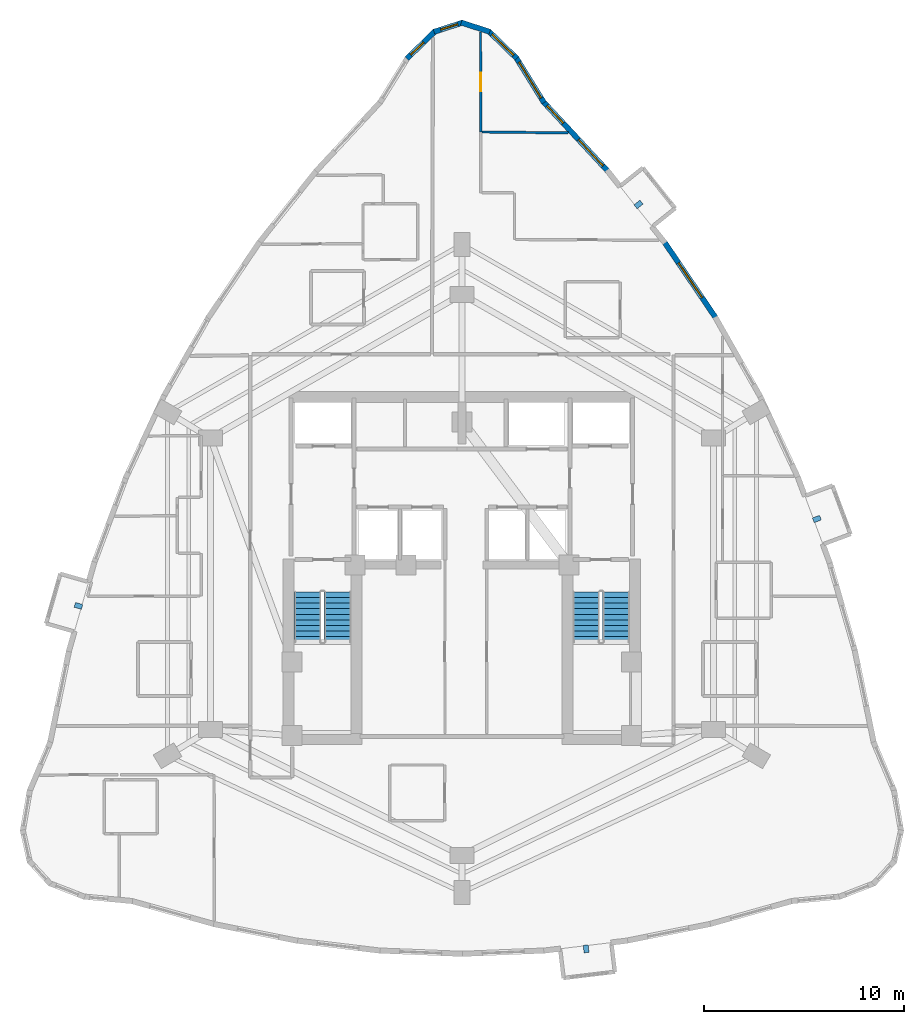
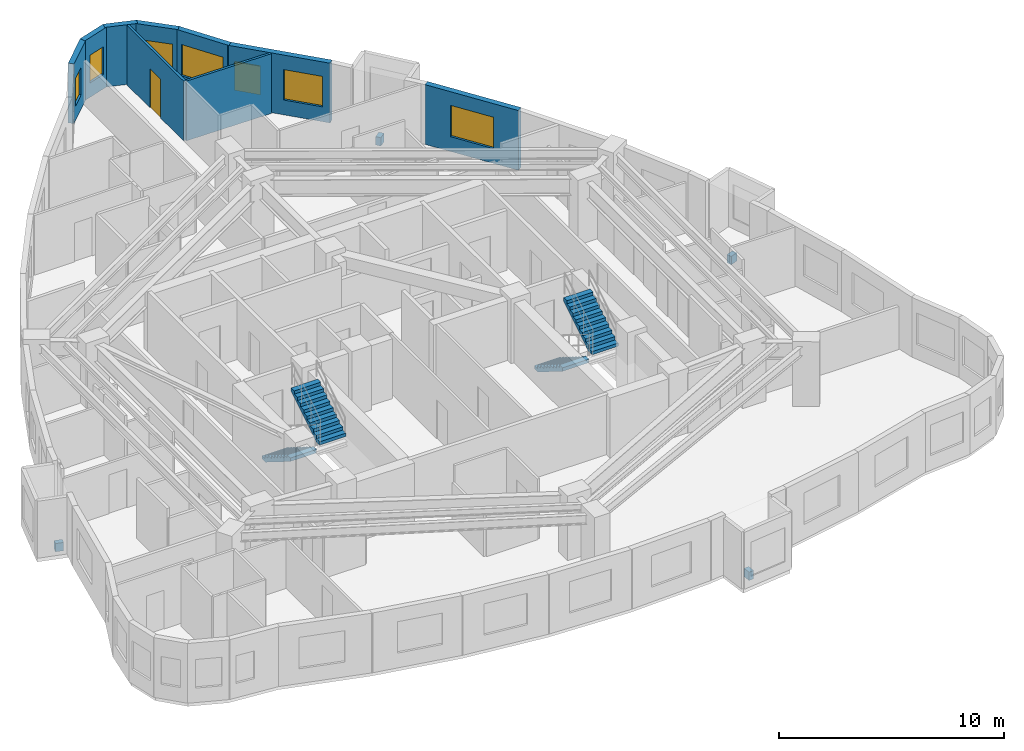
# One storey, part 13 of 14: 9 walls, 7 windows, 4 discrete accessories, 4 stair flights, 1 door, 8 openings, 2 elements without a shape of their own.
"""IFC4 building model written with IfcOpenShell, lengths in metres."""

from ifc_helpers import new_model, si_unit, direction, frame, frame_2d, origin, origin_2d, place, context, subcontext, project, spatial, polyline, rectangle, outline, extrude, material, layer, layer_set, type_object, element, fill, aggregate, save


model = new_model("IFC4")

# Units and contexts
model_context = context("Model", 3, precision=1e-05, world=origin(), true_north=direction((0.0, 1.0)))
body_context = subcontext(model_context, "Body", "Model", "MODEL_VIEW")
ifc_project = project(units=[si_unit("LENGTHUNIT", "METRE"), si_unit("AREAUNIT", "SQUARE_METRE"), si_unit("VOLUMEUNIT", "CUBIC_METRE"), si_unit("PLANEANGLEUNIT", "RADIAN"), si_unit("MASSUNIT", "GRAM", prefix="KILO")], contexts=[model_context])

# Site, building, storey
site_placement = place(None, origin())
site = spatial("IfcSite", under=ifc_project, at=site_placement, CompositionType="ELEMENT")
building_placement = place(site_placement, origin())
building = spatial("IfcBuilding", under=site, at=building_placement, Name="Miruveldt Soraemaru", CompositionType="ELEMENT")
storey_placement = place(building_placement, frame((0.0, 0.0, 117.89990234375)))
storey = spatial("IfcBuildingStorey", under=building, at=storey_placement, Name="L32", CompositionType="ELEMENT", Elevation=117.89990234375)

# Wall, opening, window
ifc_material_1 = material(Name="Precast concrete C45/55 (45 MPa)", Category="concrete")
ifc_layer_1 = layer(ifc_material_1, 0.27001953125, Name="Precast concrete C45/55 (45 MPa)", Category="concrete")
ifc_layer_set_1 = layer_set([ifc_layer_1], Name="Precast concrete C45/55 (45 MPa)")
wall_type_1 = type_object("IfcWallType", Name="WALL-EXT-PC270", PredefinedType="SOLIDWALL", material=ifc_layer_set_1)
wall_1_placement = place(storey_placement, frame((48.11181640625, 67.197509765625, 0.0), z_axis=(0.0, 0.0, 1.0), x_axis=(-0.526013792322, 0.850476037456, 0.0)))
wall_1 = element("IfcWall", 1, at=wall_1_placement, inside=storey, type_object=wall_type_1, Name="L32 Precast Concrete Facade Wall 1", PredefinedType="SOLIDWALL", context=body_context, shape_type="SweptSolid", body=[
    extrude(rectangle(XDim=2.66357421875, YDim=0.27001953125, at=frame_2d((1.331787109375, 0.0))), origin(), (0.0, 0.0, 1.0), 3.235107421875),
])
opening_1_placement = place(wall_1_placement, frame((0.281982421875, 0.0, 0.800048828125)))
opening_1 = element("IfcOpeningElement", 2, at=opening_1_placement, cuts=wall_1, Name="Opening WN-1", PredefinedType="OPENING", context=body_context, shape_type="SweptSolid", body=[
    extrude(rectangle(XDim=2.10009765625, YDim=1.699951171875, at=frame_2d((1.050048828125, 0.85009765625))), frame((0.0, 0.14501953125, 0.0), z_axis=(0.0, -1.0, 0.0), x_axis=(1.0, 0.0, 0.0)), (0.0, 0.0, 1.0), 0.2900390625),
])
ifc_material_2 = material(Name="Triple low-e insulated glazing", Category="glass")
window_type_1 = type_object("IfcWindowType", Name="WIN-PUNCH-2100x1700", PartitioningType="SINGLE_PANEL", PredefinedType="WINDOW", material=ifc_material_2)
window_1_placement = place(opening_1_placement, origin())
window_1 = element("IfcWindow", 3, at=window_1_placement, inside=storey, type_object=window_type_1, Name="L32 Punched Triple-Glazed Window 01.1", OverallHeight=1.699951171875, OverallWidth=2.10009765625, PartitioningType="SINGLE_PANEL", PredefinedType="WINDOW", context=body_context, shape_type="SweptSolid", body=[
    extrude(rectangle(XDim=2.10009765625, YDim=1.699951171875, at=frame_2d((1.050048828125, 0.85009765625))), frame((0.0, 0.030029296875, 0.0), z_axis=(0.0, -1.0, 0.0), x_axis=(1.0, 0.0, 0.0)), (0.0, 0.0, 1.0), 0.06005859375),
])
fill(opening_1, window_1)

wall_2_placement = place(storey_placement, frame((46.754150390625, 69.40869140625, 0.0), z_axis=(0.0, 0.0, 1.0), x_axis=(-0.7178009654, 0.696248356602, 0.0)))
wall_2 = element("IfcWall", 4, at=wall_2_placement, inside=storey, type_object=wall_type_1, Name="L32 Precast Concrete Facade Wall 2", PredefinedType="SOLIDWALL", context=body_context, shape_type="SweptSolid", body=[
    extrude(rectangle(XDim=1.970947265625, YDim=0.27001953125, at=frame_2d((0.9853515625, 0.0))), origin(), (0.0, 0.0, 1.0), 3.235107421875),
])
opening_2_placement = place(wall_2_placement, frame((0.235107421875, 0.0, 0.800048828125)))
opening_2 = element("IfcOpeningElement", 5, at=opening_2_placement, cuts=wall_2, Name="Opening WN-3", PredefinedType="OPENING", context=body_context, shape_type="SweptSolid", body=[
    extrude(rectangle(XDim=1.5, YDim=1.60009765625, at=frame_2d((0.75, 0.800048828125))), frame((0.0, 0.14501953125, 0.0), z_axis=(0.0, -1.0, 0.0), x_axis=(1.0, 0.0, 0.0)), (0.0, 0.0, 1.0), 0.2900390625),
])
window_type_2 = type_object("IfcWindowType", Name="WIN-PUNCH-1500x1600", PartitioningType="SINGLE_PANEL", PredefinedType="WINDOW", material=ifc_material_2)
window_2_placement = place(opening_2_placement, origin())
window_2 = element("IfcWindow", 6, at=window_2_placement, inside=storey, type_object=window_type_2, Name="L32 Punched Triple-Glazed Window 02.1", OverallHeight=1.60009765625, OverallWidth=1.5, PartitioningType="SINGLE_PANEL", PredefinedType="WINDOW", context=body_context, shape_type="SweptSolid", body=[
    extrude(rectangle(XDim=1.5, YDim=1.60009765625, at=frame_2d((0.75, 0.800048828125))), frame((0.0, 0.030029296875, 0.0), z_axis=(0.0, -1.0, 0.0), x_axis=(1.0, 0.0, 0.0)), (0.0, 0.0, 1.0), 0.06005859375),
])
fill(opening_2, window_2)

# Wall
wall_3_placement = place(storey_placement, frame((45.397705078125, 70.745849609375, 0.0), z_axis=(0.0, 0.0, 1.0), x_axis=(-0.951501837543, 0.307643061277, 0.0)))
element("IfcWall", 7, at=wall_3_placement, inside=storey, type_object=wall_type_1, Name="L32 Precast Concrete Facade Wall 3", PredefinedType="SOLIDWALL", context=body_context, shape_type="SweptSolid", body=[
    extrude(rectangle(XDim=1.50390625, YDim=0.27001953125, at=frame_2d((0.751953125, 0.0))), origin(), (0.0, 0.0, 1.0), 3.235107421875),
])

# Wall, opening, window
wall_4_placement = place(storey_placement, frame((44.033203125, 71.20849609375, 0.0), z_axis=(0.0, 0.0, 1.0), x_axis=(-0.951501837543, -0.307643061277, 0.0)))
wall_4 = element("IfcWall", 8, at=wall_4_placement, inside=storey, type_object=wall_type_1, Name="L32 Precast Concrete Facade Wall 4", PredefinedType="SOLIDWALL", context=body_context, shape_type="SweptSolid", body=[
    extrude(rectangle(XDim=1.50390625, YDim=0.27001953125, at=frame_2d((0.751953125, 0.0))), origin(), (0.0, 0.0, 1.0), 3.235107421875),
])
opening_3_placement = place(wall_4_placement, frame((0.251953125, 0.0, 0.780029296875)))
opening_3 = element("IfcOpeningElement", 9, at=opening_3_placement, cuts=wall_4, Name="Opening WN-7", PredefinedType="OPENING", context=body_context, shape_type="SweptSolid", body=[
    extrude(rectangle(XDim=0.89990234375, YDim=1.5, at=frame_2d((0.449951171875, 0.75))), frame((0.0, 0.14501953125, 0.0), z_axis=(0.0, -1.0, 0.0), x_axis=(1.0, 0.0, 0.0)), (0.0, 0.0, 1.0), 0.2900390625),
])
window_type_3 = type_object("IfcWindowType", Name="WIN-PUNCH-900x1500", PartitioningType="SINGLE_PANEL", PredefinedType="WINDOW", material=ifc_material_2)
window_3_placement = place(opening_3_placement, origin())
window_3 = element("IfcWindow", 10, at=window_3_placement, inside=storey, type_object=window_type_3, Name="L32 Punched Triple-Glazed Window 04.1", OverallHeight=1.5, OverallWidth=0.89990234375, PartitioningType="SINGLE_PANEL", PredefinedType="WINDOW", context=body_context, shape_type="SweptSolid", body=[
    extrude(rectangle(XDim=0.89990234375, YDim=1.5, at=frame_2d((0.449951171875, 0.75))), frame((0.0, 0.030029296875, 0.0), z_axis=(0.0, -1.0, 0.0), x_axis=(1.0, 0.0, 0.0)), (0.0, 0.0, 1.0), 0.06005859375),
])
fill(opening_3, window_3)

wall_5_placement = place(storey_placement, frame((42.66064453125, 70.781005859375, 0.0), z_axis=(0.0, 0.0, 1.0), x_axis=(-0.7178009654, -0.696248356602, 0.0)))
wall_5 = element("IfcWall", 11, at=wall_5_placement, inside=storey, type_object=wall_type_1, Name="L32 Precast Concrete Facade Wall 5", PredefinedType="SOLIDWALL", context=body_context, shape_type="SweptSolid", body=[
    extrude(rectangle(XDim=1.970947265625, YDim=0.27001953125, at=frame_2d((0.9853515625, 0.0))), origin(), (0.0, 0.0, 1.0), 3.235107421875),
])
opening_4_placement = place(wall_5_placement, frame((0.806884765625, 0.0, 0.780029296875)))
opening_4 = element("IfcOpeningElement", 12, at=opening_4_placement, cuts=wall_5, Name="Opening WN-7", PredefinedType="OPENING", context=body_context, shape_type="SweptSolid", body=[
    extrude(rectangle(XDim=0.89990234375, YDim=1.5, at=frame_2d((0.449951171875, 0.75))), frame((0.0, 0.14501953125, 0.0), z_axis=(0.0, -1.0, 0.0), x_axis=(1.0, 0.0, 0.0)), (0.0, 0.0, 1.0), 0.2900390625),
])
window_4_placement = place(opening_4_placement, origin())
window_4 = element("IfcWindow", 13, at=window_4_placement, inside=storey, type_object=window_type_3, Name="L32 Punched Triple-Glazed Window 05.1", OverallHeight=1.5, OverallWidth=0.89990234375, PartitioningType="SINGLE_PANEL", PredefinedType="WINDOW", context=body_context, shape_type="SweptSolid", body=[
    extrude(rectangle(XDim=0.89990234375, YDim=1.5, at=frame_2d((0.449951171875, 0.75))), frame((0.0, 0.030029296875, 0.0), z_axis=(0.0, -1.0, 0.0), x_axis=(1.0, 0.0, 0.0)), (0.0, 0.0, 1.0), 0.06005859375),
])
fill(opening_4, window_4)

wall_6_placement = place(storey_placement, frame((56.718017578125, 56.411865234375, 0.0), z_axis=(0.0, 0.0, 1.0), x_axis=(-0.560841123117, 0.827923447319, 0.0)))
wall_6 = element("IfcWall", 14, at=wall_6_placement, inside=storey, type_object=wall_type_1, Name="L32 Precast Concrete Facade Wall 40", PredefinedType="SOLIDWALL", context=body_context, shape_type="SweptSolid", body=[
    extrude(rectangle(XDim=4.612548828125, YDim=0.27001953125, at=frame_2d((2.30615234375, 0.0))), origin(), (0.0, 0.0, 1.0), 3.235107421875),
])
opening_5_placement = place(wall_6_placement, frame((1.237060546875, 0.0, 0.800048828125)))
opening_5 = element("IfcOpeningElement", 15, at=opening_5_placement, cuts=wall_6, Name="Opening WN-1", PredefinedType="OPENING", context=body_context, shape_type="SweptSolid", body=[
    extrude(rectangle(XDim=2.10009765625, YDim=1.699951171875, at=frame_2d((1.050048828125, 0.85009765625))), frame((0.0, 0.14501953125, 0.0), z_axis=(0.0, -1.0, 0.0), x_axis=(1.0, 0.0, 0.0)), (0.0, 0.0, 1.0), 0.2900390625),
])
window_5_placement = place(opening_5_placement, origin())
window_5 = element("IfcWindow", 16, at=window_5_placement, inside=storey, type_object=window_type_1, Name="L32 Punched Triple-Glazed Window 40.1", OverallHeight=1.699951171875, OverallWidth=2.10009765625, PartitioningType="SINGLE_PANEL", PredefinedType="WINDOW", context=body_context, shape_type="SweptSolid", body=[
    extrude(rectangle(XDim=2.10009765625, YDim=1.699951171875, at=frame_2d((1.050048828125, 0.85009765625))), frame((0.0, 0.030029296875, 0.0), z_axis=(0.0, -1.0, 0.0), x_axis=(1.0, 0.0, 0.0)), (0.0, 0.0, 1.0), 0.06005859375),
])
fill(opening_5, window_5)

# Wall, openings, windows
wall_7_placement = place(storey_placement, frame((51.306396484375, 63.771484375, 0.0), z_axis=(0.0, 0.0, 1.0), x_axis=(-0.680907985311, 0.732368974998, 0.0)))
wall_7 = element("IfcWall", 17, at=wall_7_placement, inside=storey, type_object=wall_type_1, Name="L32 Precast Concrete Facade Wall 42", PredefinedType="SOLIDWALL", context=body_context, shape_type="SweptSolid", body=[
    extrude(rectangle(XDim=4.753662109375, YDim=0.27001953125, at=frame_2d((2.376953125, 0.0))), origin(), (0.0, 0.0, 1.0), 3.235107421875),
])
opening_6_placement = place(wall_7_placement, frame((0.35498046875, 0.0, 0.800048828125)))
opening_6 = element("IfcOpeningElement", 18, at=opening_6_placement, cuts=wall_7, Name="Opening WN-2", PredefinedType="OPENING", context=body_context, shape_type="SweptSolid", body=[
    extrude(rectangle(XDim=1.800048828125, YDim=1.64990234375, at=frame_2d((0.89990234375, 0.824951171875))), frame((0.0, 0.14501953125, 0.0), z_axis=(0.0, -1.0, 0.0), x_axis=(1.0, 0.0, 0.0)), (0.0, 0.0, 1.0), 0.2900390625),
])
opening_7_placement = place(wall_7_placement, frame((3.27197265625, 0.0, 0.780029296875)))
opening_7 = element("IfcOpeningElement", 19, at=opening_7_placement, cuts=wall_7, Name="Opening WN-4", PredefinedType="OPENING", context=body_context, shape_type="SweptSolid", body=[
    extrude(rectangle(XDim=1.199951171875, YDim=1.550048828125, at=frame_2d((0.60009765625, 0.77490234375))), frame((0.0, 0.14501953125, 0.0), z_axis=(0.0, -1.0, 0.0), x_axis=(1.0, 0.0, 0.0)), (0.0, 0.0, 1.0), 0.2900390625),
])
window_type_4 = type_object("IfcWindowType", Name="WIN-PUNCH-1200x1550", PartitioningType="SINGLE_PANEL", PredefinedType="WINDOW", material=ifc_material_2)
window_6_placement = place(opening_7_placement, origin())
window_6 = element("IfcWindow", 20, at=window_6_placement, inside=storey, type_object=window_type_4, Name="L32 Punched Triple-Glazed Window 42.2", OverallHeight=1.550048828125, OverallWidth=1.199951171875, PartitioningType="SINGLE_PANEL", PredefinedType="WINDOW", context=body_context, shape_type="SweptSolid", body=[
    extrude(rectangle(XDim=1.199951171875, YDim=1.550048828125, at=frame_2d((0.60009765625, 0.77490234375))), frame((0.0, 0.030029296875, 0.0), z_axis=(0.0, -1.0, 0.0), x_axis=(1.0, 0.0, 0.0)), (0.0, 0.0, 1.0), 0.06005859375),
])
fill(opening_7, window_6)
window_type_5 = type_object("IfcWindowType", Name="WIN-PUNCH-1800x1650", PartitioningType="SINGLE_PANEL", PredefinedType="WINDOW", material=ifc_material_2)
window_7_placement = place(opening_6_placement, origin())
window_7 = element("IfcWindow", 21, at=window_7_placement, inside=storey, type_object=window_type_5, Name="L32 Punched Triple-Glazed Window 42.1", OverallHeight=1.64990234375, OverallWidth=1.800048828125, PartitioningType="SINGLE_PANEL", PredefinedType="WINDOW", context=body_context, shape_type="SweptSolid", body=[
    extrude(rectangle(XDim=1.800048828125, YDim=1.64990234375, at=frame_2d((0.89990234375, 0.824951171875))), frame((0.0, 0.030029296875, 0.0), z_axis=(0.0, -1.0, 0.0), x_axis=(1.0, 0.0, 0.0)), (0.0, 0.0, 1.0), 0.06005859375),
])
fill(opening_6, window_7)

# Wall, opening, door
ifc_material_3 = material(Name="Gypsum plasterboard lining", Category="gypsum")
ifc_layer_2 = layer(ifc_material_3, 0.1201171875, Name="Gypsum plasterboard lining", Category="gypsum")
ifc_layer_set_2 = layer_set([ifc_layer_2], Name="Gypsum plasterboard lining")
wall_type_2 = type_object("IfcWallType", Name="WALL-INT-P120", PredefinedType="PARTITIONING", material=ifc_layer_set_2)
wall_8_placement = place(storey_placement, frame((44.949951171875, 65.73095703125, 0.0), z_axis=(0.0, 0.0, 1.0), x_axis=(-0.004386564025, 0.999990378982, 0.0)))
wall_8 = element("IfcWall", 22, at=wall_8_placement, inside=storey, type_object=wall_type_2, Name="L32 Partition Wall 33", PredefinedType="PARTITIONING", context=body_context, shape_type="SweptSolid", body=[
    extrude(rectangle(XDim=5.009033203125, YDim=0.1201171875, at=frame_2d((2.50439453125, 0.0))), origin(), (0.0, 0.0, 1.0), 3.235107421875),
])
opening_8_placement = place(wall_8_placement, frame((2.044921875, 0.0, 0.0)))
opening_8 = element("IfcOpeningElement", 23, at=opening_8_placement, cuts=wall_8, Name="Opening D3A", PredefinedType="OPENING", context=body_context, shape_type="SweptSolid", body=[
    extrude(rectangle(XDim=0.919921875, YDim=2.10009765625, at=frame_2d((0.4599609375, 1.050048828125))), frame((0.0, 0.070068359375, 0.0), z_axis=(0.0, -1.0, 0.0), x_axis=(1.0, 0.0, 0.0)), (0.0, 0.0, 1.0), 0.14013671875),
])
ifc_material_4 = material(Name="Anodised aluminium EN AW-6063 T6", Category="aluminium")
door_type = type_object("IfcDoorType", Name="DOOR-INT-920", OperationType="NOTDEFINED", PredefinedType="DOOR", material=ifc_material_4)
door_placement = place(opening_8_placement, origin())
door = element("IfcDoor", 24, at=door_placement, inside=storey, type_object=door_type, Name="L32 Unit 3202 BD2 Door", OperationType="SINGLE_SWING_RIGHT", OverallHeight=2.10009765625, OverallWidth=0.919921875, PredefinedType="DOOR", context=body_context, shape_type="SweptSolid", body=[
    extrude(rectangle(XDim=0.919921875, YDim=2.10009765625, at=frame_2d((0.4599609375, 1.050048828125))), frame((0.0, 0.02490234375, 0.0), z_axis=(0.0, -1.0, 0.0), x_axis=(1.0, 0.0, 0.0)), (0.0, 0.0, 1.0), 0.050048828125),
])
fill(opening_8, door)

# Wall
wall_9_placement = place(storey_placement, frame((49.323974609375, 65.68310546875, 0.0), z_axis=(0.0, 0.0, 1.0), x_axis=(-0.999940971614, 0.010865232968, 0.0)))
element("IfcWall", 25, at=wall_9_placement, inside=storey, type_object=wall_type_2, Name="L32 Partition Wall 35", PredefinedType="PARTITIONING", context=body_context, shape_type="SweptSolid", body=[
    extrude(rectangle(XDim=4.314208984375, YDim=0.1201171875, at=frame_2d((2.1572265625, 0.0))), origin(), (0.0, 0.0, 1.0), 3.235107421875),
])

# Stair, stair flights
ifc_material_5 = material(Name="Concrete C40/50 (40 MPa)", Category="concrete")
stair_type = type_object("IfcStairType", Name="STAIR-DL-350", PredefinedType="HALF_TURN_STAIR", material=ifc_material_5)
stair_1_placement = place(storey_placement, origin())
stair_1 = element("IfcStair", 26, at=stair_1_placement, inside=storey, type_object=stair_type, Name="L32 Protected Exit Stair ST-1", PredefinedType="HALF_TURN_STAIR")
stair_flight_type = type_object("IfcStairFlightType", Name="SFL-DL-350", PredefinedType="STRAIGHT", material=ifc_material_5)
stair_flight_1_placement = place(storey_placement, frame((36.27490234375, 42.699951171875, 0.0), z_axis=(0.0, 0.0, 1.0), x_axis=(0.0, -1.0, 0.0)))
stair_flight_1 = element("IfcStairFlight", 27, at=stair_flight_1_placement, type_object=stair_flight_type, Name="ST-1 flight 1", NumberOfRisers=10, NumberOfTreads=9, PredefinedType="STRAIGHT", RiserHeight=0.175, TreadLength=0.28, context=body_context, shape_type="SweptSolid", body=[
    extrude(outline(polyline([(0.0, 0.0), (0.0, 0.175048828125), (0.280029296875, 0.175048828125), (0.280029296875, 0.35009765625), (0.56005859375, 0.35009765625), (0.56005859375, 0.52490234375), (0.840087890625, 0.52490234375), (0.840087890625, 0.699951171875), (1.1201171875, 0.699951171875), (1.1201171875, 0.875), (1.39990234375, 0.875), (1.39990234375, 1.050048828125), (1.679931640625, 1.050048828125), (1.679931640625, 1.22509765625), (1.9599609375, 1.22509765625), (1.9599609375, 1.39990234375), (2.239990234375, 1.39990234375), (2.239990234375, 1.574951171875), (2.52001953125, 1.574951171875), (2.52001953125, 1.75), (2.52001953125, 1.386474609375), (0.3017578125, 0.0), (0.0, 0.0)])), frame((0.0, 0.675048828125, 0.0), z_axis=(0.0, -1.0, 0.0), x_axis=(1.0, 0.0, 0.0)), (0.0, 0.0, 1.0), 1.35009765625),
])
stair_flight_2_placement = place(storey_placement, frame((37.77490234375, 40.179931640625, 1.75), z_axis=(0.0, 0.0, 1.0), x_axis=(0.0, 1.0, 0.0)))
stair_flight_2 = element("IfcStairFlight", 28, at=stair_flight_2_placement, type_object=stair_flight_type, Name="ST-1 flight 2", NumberOfRisers=10, NumberOfTreads=9, PredefinedType="STRAIGHT", RiserHeight=0.175, TreadLength=0.28, context=body_context, shape_type="SweptSolid", body=[
    extrude(outline(polyline([(0.0, 0.0), (0.0, 0.175048828125), (0.280029296875, 0.175048828125), (0.280029296875, 0.35009765625), (0.56005859375, 0.35009765625), (0.56005859375, 0.52490234375), (0.840087890625, 0.52490234375), (0.840087890625, 0.699951171875), (1.1201171875, 0.699951171875), (1.1201171875, 0.875), (1.39990234375, 0.875), (1.39990234375, 1.050048828125), (1.679931640625, 1.050048828125), (1.679931640625, 1.22509765625), (1.9599609375, 1.22509765625), (1.9599609375, 1.39990234375), (2.239990234375, 1.39990234375), (2.239990234375, 1.574951171875), (2.52001953125, 1.574951171875), (2.52001953125, 1.75), (2.52001953125, 1.386474609375), (0.3017578125, 0.0), (0.0, 0.0)])), frame((0.0, 0.675048828125, 0.0), z_axis=(0.0, -1.0, 0.0), x_axis=(1.0, 0.0, 0.0)), (0.0, 0.0, 1.0), 1.35009765625),
])
aggregate(stair_1, [stair_flight_1, stair_flight_2])

stair_2_placement = place(storey_placement, origin())
stair_2 = element("IfcStair", 29, at=stair_2_placement, inside=storey, type_object=stair_type, Name="L32 Protected Exit Stair ST-2", PredefinedType="HALF_TURN_STAIR")
stair_flight_3_placement = place(storey_placement, frame((50.22509765625, 42.699951171875, 0.0), z_axis=(0.0, 0.0, 1.0), x_axis=(0.0, -1.0, 0.0)))
stair_flight_3 = element("IfcStairFlight", 30, at=stair_flight_3_placement, type_object=stair_flight_type, Name="ST-2 flight 1", NumberOfRisers=10, NumberOfTreads=9, PredefinedType="STRAIGHT", RiserHeight=0.175, TreadLength=0.28, context=body_context, shape_type="SweptSolid", body=[
    extrude(outline(polyline([(0.0, 0.0), (0.0, 0.175048828125), (0.280029296875, 0.175048828125), (0.280029296875, 0.35009765625), (0.56005859375, 0.35009765625), (0.56005859375, 0.52490234375), (0.840087890625, 0.52490234375), (0.840087890625, 0.699951171875), (1.1201171875, 0.699951171875), (1.1201171875, 0.875), (1.39990234375, 0.875), (1.39990234375, 1.050048828125), (1.679931640625, 1.050048828125), (1.679931640625, 1.22509765625), (1.9599609375, 1.22509765625), (1.9599609375, 1.39990234375), (2.239990234375, 1.39990234375), (2.239990234375, 1.574951171875), (2.52001953125, 1.574951171875), (2.52001953125, 1.75), (2.52001953125, 1.386474609375), (0.3017578125, 0.0), (0.0, 0.0)])), frame((0.0, 0.675048828125, 0.0), z_axis=(0.0, -1.0, 0.0), x_axis=(1.0, 0.0, 0.0)), (0.0, 0.0, 1.0), 1.35009765625),
])
stair_flight_4_placement = place(storey_placement, frame((51.72509765625, 40.179931640625, 1.75), z_axis=(0.0, 0.0, 1.0), x_axis=(0.0, 1.0, 0.0)))
stair_flight_4 = element("IfcStairFlight", 31, at=stair_flight_4_placement, type_object=stair_flight_type, Name="ST-2 flight 2", NumberOfRisers=10, NumberOfTreads=9, PredefinedType="STRAIGHT", RiserHeight=0.175, TreadLength=0.28, context=body_context, shape_type="SweptSolid", body=[
    extrude(outline(polyline([(0.0, 0.0), (0.0, 0.175048828125), (0.280029296875, 0.175048828125), (0.280029296875, 0.35009765625), (0.56005859375, 0.35009765625), (0.56005859375, 0.52490234375), (0.840087890625, 0.52490234375), (0.840087890625, 0.699951171875), (1.1201171875, 0.699951171875), (1.1201171875, 0.875), (1.39990234375, 0.875), (1.39990234375, 1.050048828125), (1.679931640625, 1.050048828125), (1.679931640625, 1.22509765625), (1.9599609375, 1.22509765625), (1.9599609375, 1.39990234375), (2.239990234375, 1.39990234375), (2.239990234375, 1.574951171875), (2.52001953125, 1.574951171875), (2.52001953125, 1.75), (2.52001953125, 1.386474609375), (0.3017578125, 0.0), (0.0, 0.0)])), frame((0.0, 0.675048828125, 0.0), z_axis=(0.0, -1.0, 0.0), x_axis=(1.0, 0.0, 0.0)), (0.0, 0.0, 1.0), 1.35009765625),
])
aggregate(stair_2, [stair_flight_3, stair_flight_4])

# Discrete accessories
ifc_material_6 = material(Name="Steel SM355 (355 MPa)", Category="steel")
discrete_accessory_type = type_object("IfcDiscreteAccessoryType", Name="ACC-BAY-BRK", PredefinedType="BRACKET", material=ifc_material_6)
for number, where, z_axis, x_axis, name in (
    (32, (24.797119140625, 41.999267578125, -0.7099609375), (0.0, 0.0, 1.0), (-0.961453892845, 0.274966201438, 0.0), "L32 Bay Window Cantilever Bracket 1"),
    (33, (50.218505859375, 24.8251953125, -0.7099609375), (0.0, 0.0, 1.0), (0.119149147143, -0.992876367296, 0.0), "L32 Bay Window Cantilever Bracket 2"),
    (34, (61.77392578125, 46.3505859375, -0.7099609375), (0.0, 0.0, 1.0), (0.93711153314, 0.349030048069, 0.0), "L32 Bay Window Cantilever Bracket 3"),
    (35, (52.841796875, 62.09912109375, -0.7099609375), (0.0, 0.0, 1.0), (0.781749083735, 0.623593112597, 0.0), "L32 Bay Window Cantilever Bracket 4"),
):
    element("IfcDiscreteAccessory", number, at=place(storey_placement, frame(where, z_axis=z_axis, x_axis=x_axis)), inside=storey, type_object=discrete_accessory_type, Name=name, PredefinedType="BRACKET", context=body_context, shape_type="SweptSolid", body=[
        extrude(rectangle(XDim=0.3798828125, YDim=0.25, at=origin_2d()), origin(), (0.0, 0.0, 1.0), 0.449951171875),
    ])

save(model, "model.ifc")
